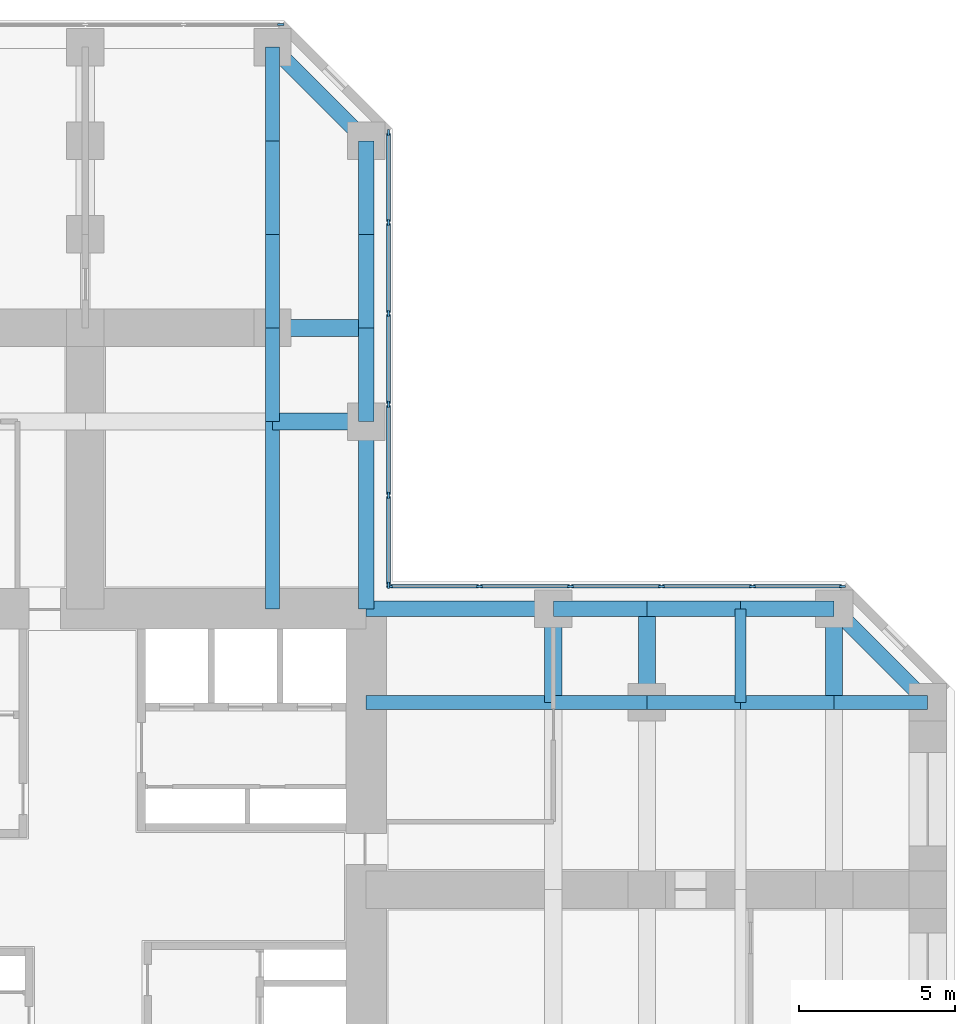
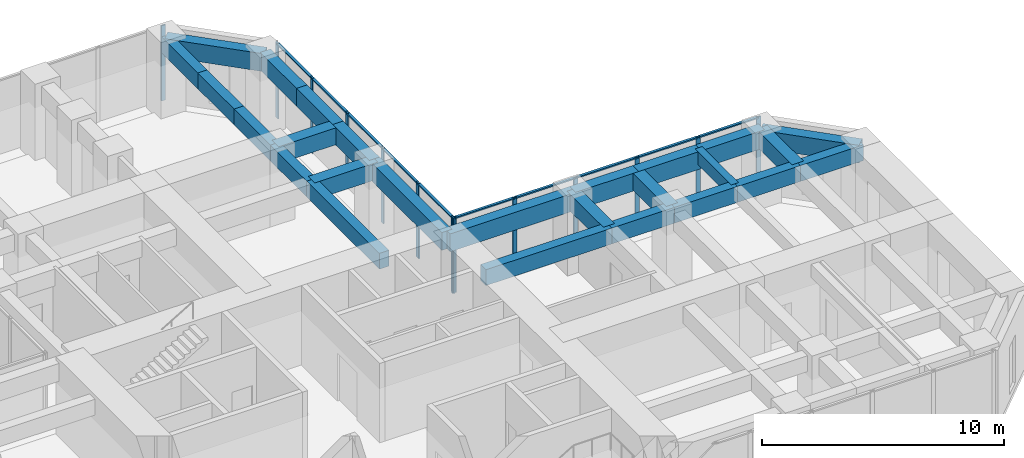
# One storey, part 6 of 12: 26 beams, 23 members, 3 elements without a shape of their own.
"""IFC4 building model written with IfcOpenShell, lengths in metres."""

from ifc_helpers import new_model, si_unit, direction, frame, origin, origin_2d, place, context, subcontext, project, spatial, rectangle, extrude, material, material_profile, profile_set, type_object, element, aggregate, save


model = new_model("IFC4")

# Units and contexts
model_context = context("Model", 3, precision=1e-05, world=origin(), true_north=direction((0.0, 1.0)))
body_context = subcontext(model_context, "Body", "Model", "MODEL_VIEW")
ifc_project = project(units=[si_unit("LENGTHUNIT", "METRE"), si_unit("AREAUNIT", "SQUARE_METRE"), si_unit("VOLUMEUNIT", "CUBIC_METRE"), si_unit("PLANEANGLEUNIT", "RADIAN"), si_unit("MASSUNIT", "GRAM", prefix="KILO")], contexts=[model_context])

# Site, building, storey
site_placement = place(None, origin())
site = spatial("IfcSite", under=ifc_project, at=site_placement, CompositionType="ELEMENT")
building_placement = place(site_placement, origin())
building = spatial("IfcBuilding", under=site, at=building_placement, Name="Torre Cruceta", CompositionType="ELEMENT")
storey_placement = place(building_placement, frame((0.0, 0.0, 43.5)))
storey = spatial("IfcBuildingStorey", under=building, at=storey_placement, Name="L10", CompositionType="ELEMENT", Elevation=43.5)

# Beams
ifc_material_1 = material(Name="Concrete G60 (fck 60 MPa)", Category="concrete")
ifc_material_profile_1 = material_profile(ifc_material_1, rectangle(XDim=0.449951171875, YDim=0.800048828125, at=origin_2d()), Name="RC 450X800")
ifc_profile_set_1 = profile_set([ifc_material_profile_1], Name="Concrete G60 (fck 60 MPa)")
beam_type_1 = type_object("IfcBeamType", Name="COLUMN LINE BEAM RC 450X800", PredefinedType="BEAM", material=ifc_profile_set_1)
beam_1_placement = place(storey_placement, frame((6.0, 9.0, 3.39990234375), z_axis=(0.0, 1.0, 0.0), x_axis=(-1.0, 0.0, 0.0)))
element("IfcBeam", 1, at=beam_1_placement, inside=storey, type_object=beam_type_1, Name="LB1 L10 N col- 1", PredefinedType="BEAM", context=body_context, shape_type="SweptSolid", body=[
    extrude(rectangle(XDim=0.449951171875, YDim=0.800048828125, at=origin_2d()), origin(), (0.0, 0.0, 1.0), 6.0),
])
for number, where, z_axis, x_axis, name in (
    (2, (6.0, 15.0, 3.39990234375), (0.0, 1.0, 0.0), (-1.0, 0.0, 0.0), "LB1 L10 N col- 2"),
    (3, (6.0, 18.0, 3.39990234375), (0.0, 1.0, 0.0), (-1.0, 0.0, 0.0), "LB1 L10 N col- 3"),
    (4, (6.0, 21.0, 3.39990234375), (0.0, 1.0, 0.0), (-1.0, 0.0, 0.0), "LB1 L10 N col- 4"),
    (5, (6.0, 24.0, 3.39990234375), (0.0, 1.0, 0.0), (-1.0, 0.0, 0.0), "LB1 L10 N col- 5"),
):
    element("IfcBeam", number, at=place(storey_placement, frame(where, z_axis=z_axis, x_axis=x_axis)), inside=storey, type_object=beam_type_1, Name=name, PredefinedType="BEAM", context=body_context, shape_type="SweptSolid", body=[
        extrude(rectangle(XDim=0.449951171875, YDim=0.800048828125, at=origin_2d()), origin(), (0.0, 0.0, 1.0), 3.0),
    ])
beam_2_placement = place(storey_placement, frame((9.0, 6.0, 3.39990234375), z_axis=(1.0, 0.0, 0.0), x_axis=(0.0, 1.0, 0.0)))
element("IfcBeam", 6, at=beam_2_placement, inside=storey, type_object=beam_type_1, Name="LB1 L10 E col+ 1", PredefinedType="BEAM", context=body_context, shape_type="SweptSolid", body=[
    extrude(rectangle(XDim=0.449951171875, YDim=0.800048828125, at=origin_2d()), origin(), (0.0, 0.0, 1.0), 6.0),
])
for number, where, z_axis, x_axis, name in (
    (7, (15.0, 6.0, 3.39990234375), (1.0, 0.0, 0.0), (0.0, 1.0, 0.0), "LB1 L10 E col+ 2"),
    (8, (18.0, 6.0, 3.39990234375), (1.0, 0.0, 0.0), (0.0, 1.0, 0.0), "LB1 L10 E col+ 3"),
    (9, (21.0, 6.0, 3.39990234375), (1.0, 0.0, 0.0), (0.0, 1.0, 0.0), "LB1 L10 E col+ 4"),
    (10, (24.0, 6.0, 3.39990234375), (1.0, 0.0, 0.0), (0.0, 1.0, 0.0), "LB1 L10 E col+ 5"),
):
    element("IfcBeam", number, at=place(storey_placement, frame(where, z_axis=z_axis, x_axis=x_axis)), inside=storey, type_object=beam_type_1, Name=name, PredefinedType="BEAM", context=body_context, shape_type="SweptSolid", body=[
        extrude(rectangle(XDim=0.449951171875, YDim=0.800048828125, at=origin_2d()), origin(), (0.0, 0.0, 1.0), 3.0),
    ])
ifc_material_2 = material(Name="Concrete G60 (fck 60 MPa)", Category="concrete")
ifc_material_profile_2 = material_profile(ifc_material_2, rectangle(XDim=0.550048828125, YDim=0.85009765625, at=origin_2d()), Name="RC 550X850")
ifc_profile_set_2 = profile_set([ifc_material_profile_2], Name="Concrete G60 (fck 60 MPa)")
beam_type_2 = type_object("IfcBeamType", Name="CROSS BEAM RC 550X850", PredefinedType="BEAM", material=ifc_profile_set_2)
for number, where, z_axis, x_axis, name in (
    (11, (9.0, 15.0, 3.375), (-1.0, 0.0, 0.0), (0.0, -1.0, 0.0), "GB4 L10 N cross15 1"),
    (12, (9.0, 18.0, 3.375), (-1.0, 0.0, 0.0), (0.0, -1.0, 0.0), "GB4 L10 N cross18 1"),
    (13, (15.0, 6.0, 3.375), (0.0, 1.0, 0.0), (-1.0, 0.0, 0.0), "GB4 L10 E cross15 4"),
    (14, (18.0, 6.0, 3.375), (0.0, 1.0, 0.0), (-1.0, 0.0, 0.0), "GB4 L10 E cross18 4"),
    (15, (24.0, 6.0, 3.375), (0.0, 1.0, 0.0), (-1.0, 0.0, 0.0), "GB4 L10 E cross24 4"),
):
    element("IfcBeam", number, at=place(storey_placement, frame(where, z_axis=z_axis, x_axis=x_axis)), inside=storey, type_object=beam_type_2, Name=name, PredefinedType="BEAM", context=body_context, shape_type="SweptSolid", body=[
        extrude(rectangle(XDim=0.550048828125, YDim=0.85009765625, at=origin_2d()), origin(), (0.0, 0.0, 1.0), 3.0),
    ])

# Curtain wall, members
ifc_material_3 = material(Name="Aluminium unitised curtain wall", Category="aluminium")
curtain_wall_type = type_object("IfcCurtainWallType", Name="CURTAIN WALL CW-A OFFICE LOW RISE", PredefinedType="USERDEFINED", material=ifc_material_3)
curtain_wall_1_placement = place(storey_placement, origin())
curtain_wall_1 = element("IfcCurtainWall", 16, at=curtain_wall_1_placement, inside=storey, type_object=curtain_wall_type, Name="CW-A L10 E side 04", ObjectType="UNITISED", PredefinedType="USERDEFINED")
ifc_material_4 = material(Name="Aluminium mullion", Category="aluminium")
ifc_material_profile_3 = material_profile(ifc_material_4, rectangle(XDim=0.06494140625, YDim=0.199951171875, at=origin_2d()), Name="AL 65X200")
ifc_profile_set_3 = profile_set([ifc_material_profile_3], Name="Aluminium mullion")
member_type_1 = type_object("IfcMemberType", Name="CW-A MULLION 65X200", PredefinedType="MULLION", material=ifc_profile_set_3)
member_1_placement = place(storey_placement, frame((24.265625, 9.719970703125, 0.0), z_axis=(0.0, 0.0, 1.0), x_axis=(0.0, -1.0, 0.0)))
member_1 = element("IfcMember", 17, at=member_1_placement, type_object=member_type_1, Name="CW-A mullion 1", PredefinedType="MULLION", context=body_context, shape_type="SweptSolid", body=[
    extrude(rectangle(XDim=0.06494140625, YDim=0.199951171875, at=origin_2d()), origin(), (0.0, 0.0, 1.0), 3.800048828125),
])
member_2_placement = place(storey_placement, frame((21.382568359375, 9.719970703125, 0.0), z_axis=(0.0, 0.0, 1.0), x_axis=(0.0, -1.0, 0.0)))
member_2 = element("IfcMember", 18, at=member_2_placement, type_object=member_type_1, Name="CW-A mullion 2", PredefinedType="MULLION", context=body_context, shape_type="SweptSolid", body=[
    extrude(rectangle(XDim=0.06494140625, YDim=0.199951171875, at=origin_2d()), origin(), (0.0, 0.0, 1.0), 3.800048828125),
])
member_3_placement = place(storey_placement, frame((18.467041015625, 9.719970703125, 0.0), z_axis=(0.0, 0.0, 1.0), x_axis=(0.0, -1.0, 0.0)))
member_3 = element("IfcMember", 19, at=member_3_placement, type_object=member_type_1, Name="CW-A mullion 3", PredefinedType="MULLION", context=body_context, shape_type="SweptSolid", body=[
    extrude(rectangle(XDim=0.06494140625, YDim=0.199951171875, at=origin_2d()), origin(), (0.0, 0.0, 1.0), 3.800048828125),
])
member_4_placement = place(storey_placement, frame((15.55126953125, 9.719970703125, 0.0), z_axis=(0.0, 0.0, 1.0), x_axis=(0.0, -1.0, 0.0)))
member_4 = element("IfcMember", 20, at=member_4_placement, type_object=member_type_1, Name="CW-A mullion 4", PredefinedType="MULLION", context=body_context, shape_type="SweptSolid", body=[
    extrude(rectangle(XDim=0.06494140625, YDim=0.199951171875, at=origin_2d()), origin(), (0.0, 0.0, 1.0), 3.800048828125),
])
member_5_placement = place(storey_placement, frame((12.6357421875, 9.719970703125, 0.0), z_axis=(0.0, 0.0, 1.0), x_axis=(0.0, -1.0, 0.0)))
member_5 = element("IfcMember", 21, at=member_5_placement, type_object=member_type_1, Name="CW-A mullion 5", PredefinedType="MULLION", context=body_context, shape_type="SweptSolid", body=[
    extrude(rectangle(XDim=0.06494140625, YDim=0.199951171875, at=origin_2d()), origin(), (0.0, 0.0, 1.0), 3.800048828125),
])
member_6_placement = place(storey_placement, frame((9.75244140625, 9.719970703125, 0.0), z_axis=(0.0, 0.0, 1.0), x_axis=(0.0, -1.0, 0.0)))
member_6 = element("IfcMember", 22, at=member_6_placement, type_object=member_type_1, Name="CW-A mullion 6", PredefinedType="MULLION", context=body_context, shape_type="SweptSolid", body=[
    extrude(rectangle(XDim=0.06494140625, YDim=0.199951171875, at=origin_2d()), origin(), (0.0, 0.0, 1.0), 3.800048828125),
])

curtain_wall_2_placement = place(storey_placement, origin())
curtain_wall_2 = element("IfcCurtainWall", 23, at=curtain_wall_2_placement, inside=storey, type_object=curtain_wall_type, Name="CW-A L10 N side 05", ObjectType="UNITISED", PredefinedType="USERDEFINED")
member_7_placement = place(storey_placement, frame((9.719970703125, 9.75244140625, 0.0), z_axis=(0.0, 0.0, 1.0), x_axis=(-1.0, 0.0, 0.0)))
member_7 = element("IfcMember", 24, at=member_7_placement, type_object=member_type_1, Name="CW-A mullion 1", PredefinedType="MULLION", context=body_context, shape_type="SweptSolid", body=[
    extrude(rectangle(XDim=0.06494140625, YDim=0.199951171875, at=origin_2d()), origin(), (0.0, 0.0, 1.0), 3.800048828125),
])
member_8_placement = place(storey_placement, frame((9.719970703125, 12.6357421875, 0.0), z_axis=(0.0, 0.0, 1.0), x_axis=(-1.0, 0.0, 0.0)))
member_8 = element("IfcMember", 25, at=member_8_placement, type_object=member_type_1, Name="CW-A mullion 2", PredefinedType="MULLION", context=body_context, shape_type="SweptSolid", body=[
    extrude(rectangle(XDim=0.06494140625, YDim=0.199951171875, at=origin_2d()), origin(), (0.0, 0.0, 1.0), 3.800048828125),
])
member_9_placement = place(storey_placement, frame((9.719970703125, 15.55126953125, 0.0), z_axis=(0.0, 0.0, 1.0), x_axis=(-1.0, 0.0, 0.0)))
member_9 = element("IfcMember", 26, at=member_9_placement, type_object=member_type_1, Name="CW-A mullion 3", PredefinedType="MULLION", context=body_context, shape_type="SweptSolid", body=[
    extrude(rectangle(XDim=0.06494140625, YDim=0.199951171875, at=origin_2d()), origin(), (0.0, 0.0, 1.0), 3.800048828125),
])
member_10_placement = place(storey_placement, frame((9.719970703125, 18.467041015625, 0.0), z_axis=(0.0, 0.0, 1.0), x_axis=(-1.0, 0.0, 0.0)))
member_10 = element("IfcMember", 27, at=member_10_placement, type_object=member_type_1, Name="CW-A mullion 4", PredefinedType="MULLION", context=body_context, shape_type="SweptSolid", body=[
    extrude(rectangle(XDim=0.06494140625, YDim=0.199951171875, at=origin_2d()), origin(), (0.0, 0.0, 1.0), 3.800048828125),
])
member_11_placement = place(storey_placement, frame((9.719970703125, 21.382568359375, 0.0), z_axis=(0.0, 0.0, 1.0), x_axis=(-1.0, 0.0, 0.0)))
member_11 = element("IfcMember", 28, at=member_11_placement, type_object=member_type_1, Name="CW-A mullion 5", PredefinedType="MULLION", context=body_context, shape_type="SweptSolid", body=[
    extrude(rectangle(XDim=0.06494140625, YDim=0.199951171875, at=origin_2d()), origin(), (0.0, 0.0, 1.0), 3.800048828125),
])
member_12_placement = place(storey_placement, frame((9.719970703125, 24.265625, 0.0), z_axis=(0.0, 0.0, 1.0), x_axis=(-1.0, 0.0, 0.0)))
member_12 = element("IfcMember", 29, at=member_12_placement, type_object=member_type_1, Name="CW-A mullion 6", PredefinedType="MULLION", context=body_context, shape_type="SweptSolid", body=[
    extrude(rectangle(XDim=0.06494140625, YDim=0.199951171875, at=origin_2d()), origin(), (0.0, 0.0, 1.0), 3.800048828125),
])

# Curtain wall, member
curtain_wall_3_placement = place(storey_placement, origin())
curtain_wall_3 = element("IfcCurtainWall", 30, at=curtain_wall_3_placement, inside=storey, type_object=curtain_wall_type, Name="CW-A L10 N tip 07", ObjectType="UNITISED", PredefinedType="USERDEFINED")
member_13_placement = place(storey_placement, frame((6.265625, 27.719970703125, 0.0), z_axis=(0.0, 0.0, 1.0), x_axis=(0.0, -1.0, 0.0)))
member_13 = element("IfcMember", 31, at=member_13_placement, type_object=member_type_1, Name="CW-A mullion 1", PredefinedType="MULLION", context=body_context, shape_type="SweptSolid", body=[
    extrude(rectangle(XDim=0.06494140625, YDim=0.199951171875, at=origin_2d()), origin(), (0.0, 0.0, 1.0), 3.800048828125),
])
aggregate(curtain_wall_3, [member_13])

# Member
ifc_material_5 = material(Name="Aluminium transom", Category="aluminium")
ifc_material_profile_4 = material_profile(ifc_material_5, rectangle(XDim=0.1201171875, YDim=0.06494140625, at=origin_2d()), Name="AL 120X65")
ifc_profile_set_4 = profile_set([ifc_material_profile_4], Name="Aluminium transom")
member_type_2 = type_object("IfcMemberType", Name="CW-A TRANSOM 65X120", PredefinedType="USERDEFINED", material=ifc_profile_set_4)
member_14_placement = place(storey_placement, frame((24.233154296875, 9.719970703125, 3.767578125), z_axis=(-1.0, 0.0, 0.0), x_axis=(0.0, -1.0, 0.0)))
member_14 = element("IfcMember", 32, at=member_14_placement, type_object=member_type_2, Name="CW-A transom 1", ObjectType="TRANSOM", PredefinedType="USERDEFINED", context=body_context, shape_type="SweptSolid", body=[
    extrude(rectangle(XDim=0.1201171875, YDim=0.06494140625, at=origin_2d()), origin(), (0.0, 0.0, 1.0), 2.818115234375),
])

member_15_placement = place(storey_placement, frame((21.35009765625, 9.719970703125, 3.767578125), z_axis=(-1.0, 0.0, 0.0), x_axis=(0.0, -1.0, 0.0)))
member_15 = element("IfcMember", 33, at=member_15_placement, type_object=member_type_2, Name="CW-A transom 2", ObjectType="TRANSOM", PredefinedType="USERDEFINED", context=body_context, shape_type="SweptSolid", body=[
    extrude(rectangle(XDim=0.1201171875, YDim=0.06494140625, at=origin_2d()), origin(), (0.0, 0.0, 1.0), 2.8505859375),
])

member_16_placement = place(storey_placement, frame((18.434326171875, 9.719970703125, 3.767578125), z_axis=(-1.0, 0.0, 0.0), x_axis=(0.0, -1.0, 0.0)))
member_16 = element("IfcMember", 34, at=member_16_placement, type_object=member_type_2, Name="CW-A transom 3", ObjectType="TRANSOM", PredefinedType="USERDEFINED", context=body_context, shape_type="SweptSolid", body=[
    extrude(rectangle(XDim=0.1201171875, YDim=0.06494140625, at=origin_2d()), origin(), (0.0, 0.0, 1.0), 2.8505859375),
])

member_17_placement = place(storey_placement, frame((15.518798828125, 9.719970703125, 3.767578125), z_axis=(-1.0, 0.0, 0.0), x_axis=(0.0, -1.0, 0.0)))
member_17 = element("IfcMember", 35, at=member_17_placement, type_object=member_type_2, Name="CW-A transom 4", ObjectType="TRANSOM", PredefinedType="USERDEFINED", context=body_context, shape_type="SweptSolid", body=[
    extrude(rectangle(XDim=0.1201171875, YDim=0.06494140625, at=origin_2d()), origin(), (0.0, 0.0, 1.0), 2.8505859375),
])

member_18_placement = place(storey_placement, frame((12.60302734375, 9.719970703125, 3.767578125), z_axis=(-1.0, 0.0, 0.0), x_axis=(0.0, -1.0, 0.0)))
member_18 = element("IfcMember", 36, at=member_18_placement, type_object=member_type_2, Name="CW-A transom 5", ObjectType="TRANSOM", PredefinedType="USERDEFINED", context=body_context, shape_type="SweptSolid", body=[
    extrude(rectangle(XDim=0.1201171875, YDim=0.06494140625, at=origin_2d()), origin(), (0.0, 0.0, 1.0), 2.818115234375),
])

aggregate(curtain_wall_1, [member_1, member_2, member_3, member_4, member_5, member_6, member_14, member_15, member_16, member_17, member_18])

member_19_placement = place(storey_placement, frame((9.719970703125, 9.784912109375, 3.767578125), z_axis=(0.0, 1.0, 0.0), x_axis=(-1.0, 0.0, 0.0)))
member_19 = element("IfcMember", 37, at=member_19_placement, type_object=member_type_2, Name="CW-A transom 1", ObjectType="TRANSOM", PredefinedType="USERDEFINED", context=body_context, shape_type="SweptSolid", body=[
    extrude(rectangle(XDim=0.1201171875, YDim=0.06494140625, at=origin_2d()), origin(), (0.0, 0.0, 1.0), 2.818115234375),
])

member_20_placement = place(storey_placement, frame((9.719970703125, 12.668212890625, 3.767578125), z_axis=(0.0, 1.0, 0.0), x_axis=(-1.0, 0.0, 0.0)))
member_20 = element("IfcMember", 38, at=member_20_placement, type_object=member_type_2, Name="CW-A transom 2", ObjectType="TRANSOM", PredefinedType="USERDEFINED", context=body_context, shape_type="SweptSolid", body=[
    extrude(rectangle(XDim=0.1201171875, YDim=0.06494140625, at=origin_2d()), origin(), (0.0, 0.0, 1.0), 2.8505859375),
])

member_21_placement = place(storey_placement, frame((9.719970703125, 15.583740234375, 3.767578125), z_axis=(0.0, 1.0, 0.0), x_axis=(-1.0, 0.0, 0.0)))
member_21 = element("IfcMember", 39, at=member_21_placement, type_object=member_type_2, Name="CW-A transom 3", ObjectType="TRANSOM", PredefinedType="USERDEFINED", context=body_context, shape_type="SweptSolid", body=[
    extrude(rectangle(XDim=0.1201171875, YDim=0.06494140625, at=origin_2d()), origin(), (0.0, 0.0, 1.0), 2.8505859375),
])

member_22_placement = place(storey_placement, frame((9.719970703125, 18.49951171875, 3.767578125), z_axis=(0.0, 1.0, 0.0), x_axis=(-1.0, 0.0, 0.0)))
member_22 = element("IfcMember", 40, at=member_22_placement, type_object=member_type_2, Name="CW-A transom 4", ObjectType="TRANSOM", PredefinedType="USERDEFINED", context=body_context, shape_type="SweptSolid", body=[
    extrude(rectangle(XDim=0.1201171875, YDim=0.06494140625, at=origin_2d()), origin(), (0.0, 0.0, 1.0), 2.8505859375),
])

member_23_placement = place(storey_placement, frame((9.719970703125, 21.4150390625, 3.767578125), z_axis=(0.0, 1.0, 0.0), x_axis=(-1.0, 0.0, 0.0)))
member_23 = element("IfcMember", 41, at=member_23_placement, type_object=member_type_2, Name="CW-A transom 5", ObjectType="TRANSOM", PredefinedType="USERDEFINED", context=body_context, shape_type="SweptSolid", body=[
    extrude(rectangle(XDim=0.1201171875, YDim=0.06494140625, at=origin_2d()), origin(), (0.0, 0.0, 1.0), 2.818115234375),
])

aggregate(curtain_wall_2, [member_7, member_8, member_9, member_10, member_11, member_12, member_19, member_20, member_21, member_22, member_23])

# Beams
ifc_material_6 = material(Name="Concrete G60 (fck 60 MPa)", Category="concrete")
ifc_material_profile_5 = material_profile(ifc_material_6, rectangle(XDim=0.35009765625, YDim=0.64990234375, at=origin_2d()), Name="RC 350X650")
ifc_profile_set_5 = profile_set([ifc_material_profile_5], Name="Concrete G60 (fck 60 MPa)")
beam_type_3 = type_object("IfcBeamType", Name="SECONDARY BEAM RC 350X650", PredefinedType="JOIST", material=ifc_profile_set_5)
beam_3_placement = place(storey_placement, frame((21.0, 6.0, 3.47509765625), z_axis=(0.0, 1.0, 0.0), x_axis=(-1.0, 0.0, 0.0)))
element("IfcBeam", 42, at=beam_3_placement, inside=storey, type_object=beam_type_3, Name="JB3 L10 E sec21 4", PredefinedType="JOIST", context=body_context, shape_type="SweptSolid", body=[
    extrude(rectangle(XDim=0.35009765625, YDim=0.64990234375, at=origin_2d()), origin(), (0.0, 0.0, 1.0), 3.0),
])
ifc_material_7 = material(Name="Concrete G60 (fck 60 MPa)", Category="concrete")
ifc_material_profile_6 = material_profile(ifc_material_7, rectangle(XDim=0.5, YDim=0.89990234375, at=origin_2d()), Name="RC 500X900")
ifc_profile_set_6 = profile_set([ifc_material_profile_6], Name="Concrete G60 (fck 60 MPa)")
beam_type_4 = type_object("IfcBeamType", Name="SPANDREL BEAM RC 500X900", PredefinedType="SPANDREL", material=ifc_profile_set_6)
beam_4_placement = place(storey_placement, frame((9.0, 9.0, 3.35009765625), z_axis=(0.0, 1.0, 0.0), x_axis=(-1.0, 0.0, 0.0)))
element("IfcBeam", 43, at=beam_4_placement, inside=storey, type_object=beam_type_4, Name="SB4 L10 N side- 1", PredefinedType="SPANDREL", context=body_context, shape_type="SweptSolid", body=[
    extrude(rectangle(XDim=0.5, YDim=0.89990234375, at=origin_2d()), origin(), (0.0, 0.0, 1.0), 6.0),
])
for number, where, z_axis, x_axis, name in (
    (44, (9.0, 15.0, 3.35009765625), (0.0, 1.0, 0.0), (-1.0, 0.0, 0.0), "SB4 L10 N side- 2"),
    (45, (9.0, 18.0, 3.35009765625), (0.0, 1.0, 0.0), (-1.0, 0.0, 0.0), "SB4 L10 N side- 3"),
    (46, (9.0, 21.0, 3.35009765625), (0.0, 1.0, 0.0), (-1.0, 0.0, 0.0), "SB4 L10 N side- 4"),
):
    element("IfcBeam", number, at=place(storey_placement, frame(where, z_axis=z_axis, x_axis=x_axis)), inside=storey, type_object=beam_type_4, Name=name, PredefinedType="SPANDREL", context=body_context, shape_type="SweptSolid", body=[
        extrude(rectangle(XDim=0.5, YDim=0.89990234375, at=origin_2d()), origin(), (0.0, 0.0, 1.0), 3.0),
    ])
beam_5_placement = place(storey_placement, frame((9.0, 24.0, 3.35009765625), z_axis=(-0.707106781187, 0.707106781187, 0.0), x_axis=(-0.707106781187, -0.707106781187, 0.0)))
element("IfcBeam", 47, at=beam_5_placement, inside=storey, type_object=beam_type_4, Name="SB4 L10 N side- 5", PredefinedType="SPANDREL", context=body_context, shape_type="SweptSolid", body=[
    extrude(rectangle(XDim=0.5, YDim=0.89990234375, at=origin_2d()), origin(), (0.0, 0.0, 1.0), 4.24267578125),
])
beam_6_placement = place(storey_placement, frame((9.0, 9.0, 3.35009765625), z_axis=(1.0, 0.0, 0.0), x_axis=(0.0, 1.0, 0.0)))
element("IfcBeam", 48, at=beam_6_placement, inside=storey, type_object=beam_type_4, Name="SB4 L10 E side+ 1", PredefinedType="SPANDREL", context=body_context, shape_type="SweptSolid", body=[
    extrude(rectangle(XDim=0.5, YDim=0.89990234375, at=origin_2d()), origin(), (0.0, 0.0, 1.0), 6.0),
])
for number, where, z_axis, x_axis, name in (
    (49, (15.0, 9.0, 3.35009765625), (1.0, 0.0, 0.0), (0.0, 1.0, 0.0), "SB4 L10 E side+ 2"),
    (50, (18.0, 9.0, 3.35009765625), (1.0, 0.0, 0.0), (0.0, 1.0, 0.0), "SB4 L10 E side+ 3"),
    (51, (21.0, 9.0, 3.35009765625), (1.0, 0.0, 0.0), (0.0, 1.0, 0.0), "SB4 L10 E side+ 4"),
):
    element("IfcBeam", number, at=place(storey_placement, frame(where, z_axis=z_axis, x_axis=x_axis)), inside=storey, type_object=beam_type_4, Name=name, PredefinedType="SPANDREL", context=body_context, shape_type="SweptSolid", body=[
        extrude(rectangle(XDim=0.5, YDim=0.89990234375, at=origin_2d()), origin(), (0.0, 0.0, 1.0), 3.0),
    ])
beam_7_placement = place(storey_placement, frame((24.0, 9.0, 3.35009765625), z_axis=(0.707106781187, -0.707106781187, 0.0), x_axis=(0.707106781187, 0.707106781187, 0.0)))
element("IfcBeam", 52, at=beam_7_placement, inside=storey, type_object=beam_type_4, Name="SB4 L10 E side+ 5", PredefinedType="SPANDREL", context=body_context, shape_type="SweptSolid", body=[
    extrude(rectangle(XDim=0.5, YDim=0.89990234375, at=origin_2d()), origin(), (0.0, 0.0, 1.0), 4.24267578125),
])

save(model, "model.ifc")
